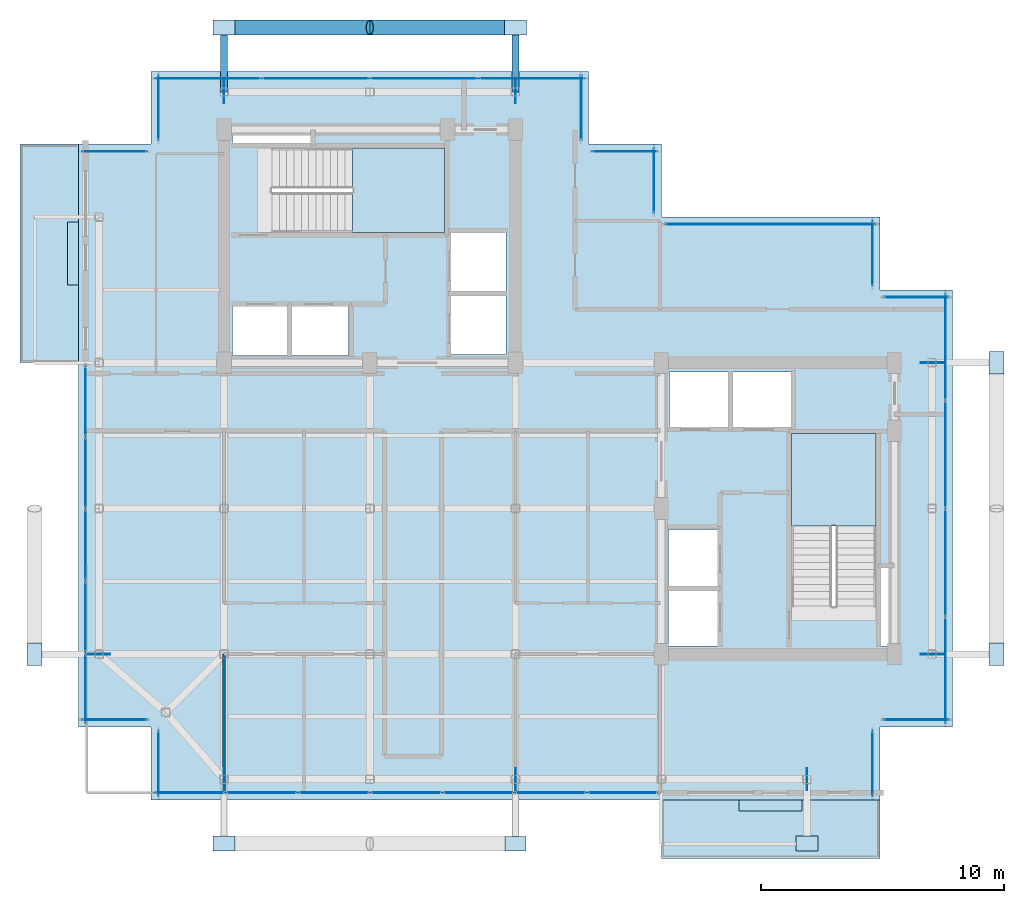
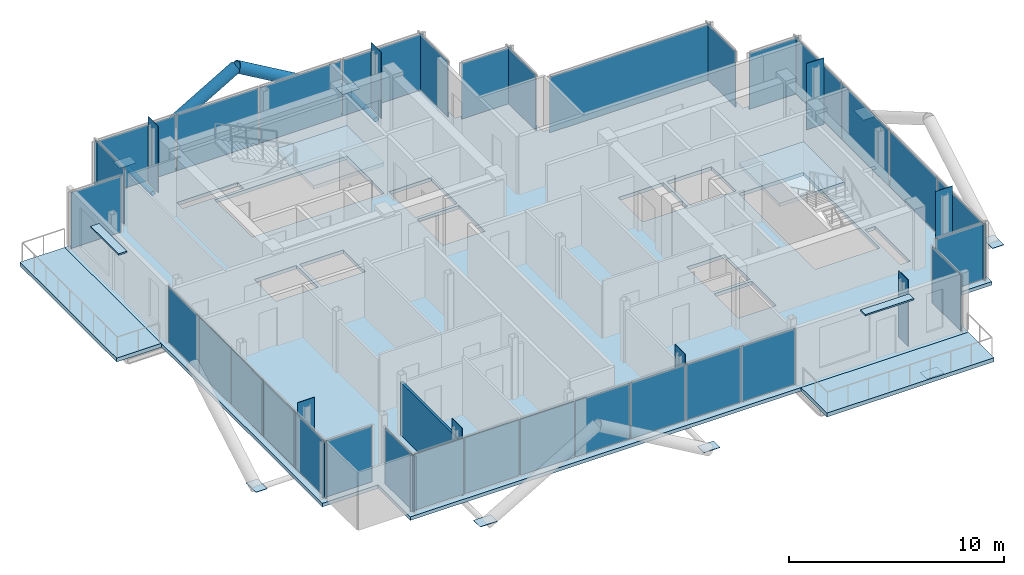
# One storey, part 14 of 19: 50 plates, 5 slabs, 4 members, 1 wall, 18 elements without a shape of their own.
"""IFC4 building model written with IfcOpenShell, lengths in metres."""

from ifc_helpers import new_model, si_unit, direction, frame, frame_2d, origin, origin_2d, place, context, subcontext, project, spatial, polyline, rectangle, hollow_circle, outline, extrude, material, layer, layer_set, material_profile, profile_set, type_object, element, aggregate, save


model = new_model("IFC4")

# Units and contexts
model_context = context("Model", 3, precision=1e-05, world=origin(), true_north=direction((0.0, 1.0)))
body_context = subcontext(model_context, "Body", "Model", "MODEL_VIEW")
ifc_project = project(units=[si_unit("LENGTHUNIT", "METRE"), si_unit("AREAUNIT", "SQUARE_METRE"), si_unit("VOLUMEUNIT", "CUBIC_METRE"), si_unit("PLANEANGLEUNIT", "RADIAN"), si_unit("MASSUNIT", "GRAM", prefix="KILO"), si_unit("THERMODYNAMICTEMPERATUREUNIT", "KELVIN"), si_unit("POWERUNIT", "WATT")], contexts=[model_context])

# Site, building, storey
site_placement = place(None, origin())
site = spatial("IfcSite", under=ifc_project, at=site_placement, CompositionType="ELEMENT")
building_placement = place(site_placement, origin())
building = spatial("IfcBuilding", under=site, at=building_placement, Name="Svarakhadi Broadcast Tower", CompositionType="ELEMENT")
storey_placement = place(building_placement, frame((0.0, 0.0, 257.199951171875)))
storey = spatial("IfcBuildingStorey", under=building, at=storey_placement, Name="L64", CompositionType="ELEMENT", Elevation=257.199951171875)

# Members
ifc_material_1 = material(Name="Steel S460ML (IS 2062 E450BR)", Category="steel")
ifc_material_profile_1 = material_profile(ifc_material_1, hollow_circle(Radius=0.304931640625, WallThickness=0.030029296875, at=origin_2d()), Name="CHS 610x30")
ifc_profile_set_1 = profile_set([ifc_material_profile_1], Name="Steel S460ML (IS 2062 E450BR)")
member_type_1 = type_object("IfcMemberType", Name="Exo_Brace_CHS610", PredefinedType="BRACE", material=ifc_profile_set_1)
for number, where, z_axis, x_axis, name in (
    (1, (6.0, 31.800048828125, -0.33642578125), (0.863778900898, 0.0, 0.503871025524), (0.0, 1.0, 0.0), "L64 Exposed Bronze Exoskeleton Diagonal N06"),
    (2, (18.0, 31.800048828125, -0.33642578125), (-0.863778900898, 0.0, 0.503871025524), (0.0, -1.0, 0.0), "L64 Exposed Bronze Exoskeleton Diagonal N07"),
):
    element("IfcMember", number, at=place(storey_placement, frame(where, z_axis=z_axis, x_axis=x_axis)), inside=storey, type_object=member_type_1, Name=name, PredefinedType="BRACE", context=body_context, shape_type="SweptSolid", body=[
        extrude(hollow_circle(Radius=0.304931640625, WallThickness=0.030029296875, at=origin_2d()), origin(), (0.0, 0.0, 1.0), 6.9462890625),
    ])
ifc_material_profile_2 = material_profile(ifc_material_1, hollow_circle(Radius=0.136474609375, WallThickness=0.012451171875, at=origin_2d()), Name="CHS 273x12.5")
ifc_profile_set_2 = profile_set([ifc_material_profile_2], Name="Steel S460ML (IS 2062 E450BR)")
member_type_2 = type_object("IfcMemberType", Name="Exo_Radial_Strut_Z3", PredefinedType="STRUT", material=ifc_profile_set_2)
for number, where, z_axis, x_axis, name in (
    (3, (6.0, 31.800048828125, -0.33642578125), (0.0, -1.0, 0.0), (1.0, 0.0, 0.0), "L64 Exoskeleton Radial Tie Strut N07"),
    (4, (18.0, 31.800048828125, -0.33642578125), (0.0, -1.0, 0.0), (1.0, 0.0, 0.0), "L64 Exoskeleton Radial Tie Strut N08"),
):
    element("IfcMember", number, at=place(storey_placement, frame(where, z_axis=z_axis, x_axis=x_axis)), inside=storey, type_object=member_type_2, Name=name, PredefinedType="STRUT", context=body_context, shape_type="SweptSolid", body=[
        extrude(hollow_circle(Radius=0.136474609375, WallThickness=0.012451171875, at=origin_2d()), origin(), (0.0, 0.0, 1.0), 2.650146484375),
    ])

# Curtain wall, plate
ifc_material_2 = material(Name="Anodised Bronze Aluminium AA 6063-T6", Category="aluminium")
ifc_layer_1 = layer(ifc_material_2, 0.179931640625)
ifc_layer_set_1 = layer_set([ifc_layer_1], Name="Anodised Bronze Aluminium AA 6063-T6")
curtain_wall_type = type_object("IfcCurtainWallType", Name="CW_Sys_05", PredefinedType="NOTDEFINED", material=ifc_layer_set_1)
curtain_wall_1_placement = place(storey_placement, origin())
curtain_wall_1 = element("IfcCurtainWall", 5, at=curtain_wall_1_placement, inside=storey, type_object=curtain_wall_type, Name="L64 Unitised Facade Curtain Wall 01", PredefinedType="NOTDEFINED")
ifc_material_3 = material(Name="Double Low-E Laminated Acoustic Glass IGU 36 mm", Category="glass")
ifc_layer_2 = layer(ifc_material_3, 0.033935546875)
ifc_layer_set_2 = layer_set([ifc_layer_2], Name="Double Low-E Laminated Acoustic Glass IGU 36 mm")
plate_type_1 = type_object("IfcPlateType", Name="CW_Sys_05_Pnl", PredefinedType="CURTAIN_PANEL", material=ifc_layer_set_2)
plate_1_placement = place(storey_placement, frame((1.5, 3.300048828125, 0.065185546875), z_axis=(0.0, 0.0, 1.0), x_axis=(-1.0, 0.0, 0.0)))
plate_1 = element("IfcPlate", 6, at=plate_1_placement, type_object=plate_type_1, Name="CW-05 panel 1.1", PredefinedType="CURTAIN_PANEL", context=body_context, shape_type="SweptSolid", body=[
    extrude(rectangle(XDim=2.679931640625, YDim=0.033935546875, at=origin_2d()), origin(), (0.0, 0.0, 1.0), 3.169921875),
])
aggregate(curtain_wall_1, [plate_1])

# Curtain wall, plates
curtain_wall_2_placement = place(storey_placement, origin())
curtain_wall_2 = element("IfcCurtainWall", 7, at=curtain_wall_2_placement, inside=storey, type_object=curtain_wall_type, Name="L64 West Curtain Wall 02", PredefinedType="NOTDEFINED")
plate_2_placement = place(storey_placement, frame((0.300048828125, 4.589599609375, 0.065185546875), z_axis=(0.0, 0.0, 1.0), x_axis=(0.0, 1.0, 0.0)))
plate_2 = element("IfcPlate", 8, at=plate_2_placement, type_object=plate_type_1, Name="CW-05 panel 1.1", PredefinedType="CURTAIN_PANEL", context=body_context, shape_type="SweptSolid", body=[
    extrude(rectangle(XDim=2.85888671875, YDim=0.033935546875, at=origin_2d()), origin(), (0.0, 0.0, 1.0), 3.169921875),
])
plate_3_placement = place(storey_placement, frame((0.300048828125, 7.535888671875, 0.065185546875), z_axis=(0.0, 0.0, 1.0), x_axis=(0.0, 1.0, 0.0)))
plate_3 = element("IfcPlate", 9, at=plate_3_placement, type_object=plate_type_1, Name="CW-05 panel 2.1", PredefinedType="CURTAIN_PANEL", context=body_context, shape_type="SweptSolid", body=[
    extrude(rectangle(XDim=2.89404296875, YDim=0.033935546875, at=origin_2d()), origin(), (0.0, 0.0, 1.0), 3.169921875),
])
plate_4_placement = place(storey_placement, frame((0.300048828125, 10.5, 0.065185546875), z_axis=(0.0, 0.0, 1.0), x_axis=(0.0, 1.0, 0.0)))
plate_4 = element("IfcPlate", 10, at=plate_4_placement, type_object=plate_type_1, Name="CW-05 panel 3.1", PredefinedType="CURTAIN_PANEL", context=body_context, shape_type="SweptSolid", body=[
    extrude(rectangle(XDim=2.89404296875, YDim=0.033935546875, at=origin_2d()), origin(), (0.0, 0.0, 1.0), 3.169921875),
])
plate_5_placement = place(storey_placement, frame((0.300048828125, 13.464111328125, 0.065185546875), z_axis=(0.0, 0.0, 1.0), x_axis=(0.0, 1.0, 0.0)))
plate_5 = element("IfcPlate", 11, at=plate_5_placement, type_object=plate_type_1, Name="CW-05 panel 4.1", PredefinedType="CURTAIN_PANEL", context=body_context, shape_type="SweptSolid", body=[
    extrude(rectangle(XDim=2.89404296875, YDim=0.033935546875, at=origin_2d()), origin(), (0.0, 0.0, 1.0), 3.169921875),
])
plate_6_placement = place(storey_placement, frame((0.300048828125, 16.410400390625, 0.065185546875), z_axis=(0.0, 0.0, 1.0), x_axis=(0.0, 1.0, 0.0)))
plate_6 = element("IfcPlate", 12, at=plate_6_placement, type_object=plate_type_1, Name="CW-05 panel 5.1", PredefinedType="CURTAIN_PANEL", context=body_context, shape_type="SweptSolid", body=[
    extrude(rectangle(XDim=2.85888671875, YDim=0.033935546875, at=origin_2d()), origin(), (0.0, 0.0, 1.0), 3.169921875),
])
aggregate(curtain_wall_2, [plate_2, plate_3, plate_4, plate_5, plate_6])

# Curtain wall, plate
curtain_wall_3_placement = place(storey_placement, origin())
curtain_wall_3 = element("IfcCurtainWall", 13, at=curtain_wall_3_placement, inside=storey, type_object=curtain_wall_type, Name="L64 Unitised Facade Curtain Wall 03", PredefinedType="NOTDEFINED")
plate_7_placement = place(storey_placement, frame((1.5, 26.699951171875, 0.065185546875), z_axis=(0.0, 0.0, 1.0), x_axis=(1.0, 0.0, 0.0)))
plate_7 = element("IfcPlate", 14, at=plate_7_placement, type_object=plate_type_1, Name="CW-05 panel 1.1", PredefinedType="CURTAIN_PANEL", context=body_context, shape_type="SweptSolid", body=[
    extrude(rectangle(XDim=2.679931640625, YDim=0.033935546875, at=origin_2d()), origin(), (0.0, 0.0, 1.0), 3.169921875),
])
aggregate(curtain_wall_3, [plate_7])

curtain_wall_4_placement = place(storey_placement, origin())
curtain_wall_4 = element("IfcCurtainWall", 15, at=curtain_wall_4_placement, inside=storey, type_object=curtain_wall_type, Name="L64 Unitised Facade Curtain Wall 04", PredefinedType="NOTDEFINED")
plate_8_placement = place(storey_placement, frame((3.300048828125, 28.5, 0.065185546875), z_axis=(0.0, 0.0, 1.0), x_axis=(0.0, 1.0, 0.0)))
plate_8 = element("IfcPlate", 16, at=plate_8_placement, type_object=plate_type_1, Name="CW-05 panel 1.1", PredefinedType="CURTAIN_PANEL", context=body_context, shape_type="SweptSolid", body=[
    extrude(rectangle(XDim=2.679931640625, YDim=0.033935546875, at=origin_2d()), origin(), (0.0, 0.0, 1.0), 3.169921875),
])
aggregate(curtain_wall_4, [plate_8])

# Curtain wall, plates
curtain_wall_5_placement = place(storey_placement, origin())
curtain_wall_5 = element("IfcCurtainWall", 17, at=curtain_wall_5_placement, inside=storey, type_object=curtain_wall_type, Name="L64 Unitised Facade Curtain Wall 05", PredefinedType="NOTDEFINED")
plate_9_placement = place(storey_placement, frame((5.3349609375, 29.699951171875, 0.065185546875), z_axis=(0.0, 0.0, 1.0), x_axis=(1.0, 0.0, 0.0)))
plate_9 = element("IfcPlate", 18, at=plate_9_placement, type_object=plate_type_1, Name="CW-05 panel 1.1", PredefinedType="CURTAIN_PANEL", context=body_context, shape_type="SweptSolid", body=[
    extrude(rectangle(XDim=4.35009765625, YDim=0.033935546875, at=origin_2d()), origin(), (0.0, 0.0, 1.0), 3.169921875),
])
plate_10_placement = place(storey_placement, frame((9.7724609375, 29.699951171875, 0.065185546875), z_axis=(0.0, 0.0, 1.0), x_axis=(1.0, 0.0, 0.0)))
plate_10 = element("IfcPlate", 19, at=plate_10_placement, type_object=plate_type_1, Name="CW-05 panel 2.1", PredefinedType="CURTAIN_PANEL", context=body_context, shape_type="SweptSolid", body=[
    extrude(rectangle(XDim=4.385009765625, YDim=0.033935546875, at=origin_2d()), origin(), (0.0, 0.0, 1.0), 3.169921875),
])
plate_11_placement = place(storey_placement, frame((14.2275390625, 29.699951171875, 0.065185546875), z_axis=(0.0, 0.0, 1.0), x_axis=(1.0, 0.0, 0.0)))
plate_11 = element("IfcPlate", 20, at=plate_11_placement, type_object=plate_type_1, Name="CW-05 panel 3.1", PredefinedType="CURTAIN_PANEL", context=body_context, shape_type="SweptSolid", body=[
    extrude(rectangle(XDim=4.385009765625, YDim=0.033935546875, at=origin_2d()), origin(), (0.0, 0.0, 1.0), 3.169921875),
])
plate_12_placement = place(storey_placement, frame((18.6650390625, 29.699951171875, 0.065185546875), z_axis=(0.0, 0.0, 1.0), x_axis=(1.0, 0.0, 0.0)))
plate_12 = element("IfcPlate", 21, at=plate_12_placement, type_object=plate_type_1, Name="CW-05 panel 4.1", PredefinedType="CURTAIN_PANEL", context=body_context, shape_type="SweptSolid", body=[
    extrude(rectangle(XDim=4.35009765625, YDim=0.033935546875, at=origin_2d()), origin(), (0.0, 0.0, 1.0), 3.169921875),
])
aggregate(curtain_wall_5, [plate_9, plate_10, plate_11, plate_12])

# Curtain wall, plate
curtain_wall_6_placement = place(storey_placement, origin())
curtain_wall_6 = element("IfcCurtainWall", 22, at=curtain_wall_6_placement, inside=storey, type_object=curtain_wall_type, Name="L64 Unitised Facade Curtain Wall 06", PredefinedType="NOTDEFINED")
plate_13_placement = place(storey_placement, frame((20.699951171875, 28.5, 0.065185546875), z_axis=(0.0, 0.0, 1.0), x_axis=(0.0, -1.0, 0.0)))
plate_13 = element("IfcPlate", 23, at=plate_13_placement, type_object=plate_type_1, Name="CW-05 panel 1.1", PredefinedType="CURTAIN_PANEL", context=body_context, shape_type="SweptSolid", body=[
    extrude(rectangle(XDim=2.679931640625, YDim=0.033935546875, at=origin_2d()), origin(), (0.0, 0.0, 1.0), 3.169921875),
])
aggregate(curtain_wall_6, [plate_13])

curtain_wall_7_placement = place(storey_placement, origin())
curtain_wall_7 = element("IfcCurtainWall", 24, at=curtain_wall_7_placement, inside=storey, type_object=curtain_wall_type, Name="L64 Unitised Facade Curtain Wall 07", PredefinedType="NOTDEFINED")
plate_14_placement = place(storey_placement, frame((22.5, 26.699951171875, 0.065185546875), z_axis=(0.0, 0.0, 1.0), x_axis=(1.0, 0.0, 0.0)))
plate_14 = element("IfcPlate", 25, at=plate_14_placement, type_object=plate_type_1, Name="CW-05 panel 1.1", PredefinedType="CURTAIN_PANEL", context=body_context, shape_type="SweptSolid", body=[
    extrude(rectangle(XDim=2.679931640625, YDim=0.033935546875, at=origin_2d()), origin(), (0.0, 0.0, 1.0), 3.169921875),
])
aggregate(curtain_wall_7, [plate_14])

curtain_wall_8_placement = place(storey_placement, origin())
curtain_wall_8 = element("IfcCurtainWall", 26, at=curtain_wall_8_placement, inside=storey, type_object=curtain_wall_type, Name="L64 Unitised Facade Curtain Wall 08", PredefinedType="NOTDEFINED")
plate_15_placement = place(storey_placement, frame((23.699951171875, 25.5, 0.065185546875), z_axis=(0.0, 0.0, 1.0), x_axis=(0.0, -1.0, 0.0)))
plate_15 = element("IfcPlate", 27, at=plate_15_placement, type_object=plate_type_1, Name="CW-05 panel 1.1", PredefinedType="CURTAIN_PANEL", context=body_context, shape_type="SweptSolid", body=[
    extrude(rectangle(XDim=2.679931640625, YDim=0.033935546875, at=origin_2d()), origin(), (0.0, 0.0, 1.0), 3.169921875),
])
aggregate(curtain_wall_8, [plate_15])

curtain_wall_9_placement = place(storey_placement, origin())
curtain_wall_9 = element("IfcCurtainWall", 28, at=curtain_wall_9_placement, inside=storey, type_object=curtain_wall_type, Name="L64 Unitised Facade Curtain Wall 09", PredefinedType="NOTDEFINED")
plate_16_placement = place(storey_placement, frame((28.5, 23.699951171875, 0.065185546875), z_axis=(0.0, 0.0, 1.0), x_axis=(1.0, 0.0, 0.0)))
plate_16 = element("IfcPlate", 29, at=plate_16_placement, type_object=plate_type_1, Name="CW-05 panel 1.1", PredefinedType="CURTAIN_PANEL", context=body_context, shape_type="SweptSolid", body=[
    extrude(rectangle(XDim=8.679931640625, YDim=0.033935546875, at=origin_2d()), origin(), (0.0, 0.0, 1.0), 3.169921875),
])
aggregate(curtain_wall_9, [plate_16])

curtain_wall_10_placement = place(storey_placement, origin())
curtain_wall_10 = element("IfcCurtainWall", 30, at=curtain_wall_10_placement, inside=storey, type_object=curtain_wall_type, Name="L64 Unitised Facade Curtain Wall 10", PredefinedType="NOTDEFINED")
plate_17_placement = place(storey_placement, frame((32.699951171875, 22.5, 0.065185546875), z_axis=(0.0, 0.0, 1.0), x_axis=(0.0, -1.0, 0.0)))
plate_17 = element("IfcPlate", 31, at=plate_17_placement, type_object=plate_type_1, Name="CW-05 panel 1.1", PredefinedType="CURTAIN_PANEL", context=body_context, shape_type="SweptSolid", body=[
    extrude(rectangle(XDim=2.679931640625, YDim=0.033935546875, at=origin_2d()), origin(), (0.0, 0.0, 1.0), 3.169921875),
])
aggregate(curtain_wall_10, [plate_17])

curtain_wall_11_placement = place(storey_placement, origin())
curtain_wall_11 = element("IfcCurtainWall", 32, at=curtain_wall_11_placement, inside=storey, type_object=curtain_wall_type, Name="L64 Unitised Facade Curtain Wall 11", PredefinedType="NOTDEFINED")
plate_18_placement = place(storey_placement, frame((34.5, 20.699951171875, 0.065185546875), z_axis=(0.0, 0.0, 1.0), x_axis=(1.0, 0.0, 0.0)))
plate_18 = element("IfcPlate", 33, at=plate_18_placement, type_object=plate_type_1, Name="CW-05 panel 1.1", PredefinedType="CURTAIN_PANEL", context=body_context, shape_type="SweptSolid", body=[
    extrude(rectangle(XDim=2.679931640625, YDim=0.033935546875, at=origin_2d()), origin(), (0.0, 0.0, 1.0), 3.169921875),
])
aggregate(curtain_wall_11, [plate_18])

# Curtain wall, plates
curtain_wall_12_placement = place(storey_placement, origin())
curtain_wall_12 = element("IfcCurtainWall", 34, at=curtain_wall_12_placement, inside=storey, type_object=curtain_wall_type, Name="L64 Unitised Facade Curtain Wall 12", PredefinedType="NOTDEFINED")
plate_19_placement = place(storey_placement, frame((35.699951171875, 18.6650390625, 0.065185546875), z_axis=(0.0, 0.0, 1.0), x_axis=(0.0, -1.0, 0.0)))
plate_19 = element("IfcPlate", 35, at=plate_19_placement, type_object=plate_type_1, Name="CW-05 panel 1.1", PredefinedType="CURTAIN_PANEL", context=body_context, shape_type="SweptSolid", body=[
    extrude(rectangle(XDim=4.35009765625, YDim=0.033935546875, at=origin_2d()), origin(), (0.0, 0.0, 1.0), 3.169921875),
])
plate_20_placement = place(storey_placement, frame((35.699951171875, 14.2275390625, 0.065185546875), z_axis=(0.0, 0.0, 1.0), x_axis=(0.0, -1.0, 0.0)))
plate_20 = element("IfcPlate", 36, at=plate_20_placement, type_object=plate_type_1, Name="CW-05 panel 2.1", PredefinedType="CURTAIN_PANEL", context=body_context, shape_type="SweptSolid", body=[
    extrude(rectangle(XDim=4.385009765625, YDim=0.033935546875, at=origin_2d()), origin(), (0.0, 0.0, 1.0), 3.169921875),
])
plate_21_placement = place(storey_placement, frame((35.699951171875, 9.7724609375, 0.065185546875), z_axis=(0.0, 0.0, 1.0), x_axis=(0.0, -1.0, 0.0)))
plate_21 = element("IfcPlate", 37, at=plate_21_placement, type_object=plate_type_1, Name="CW-05 panel 3.1", PredefinedType="CURTAIN_PANEL", context=body_context, shape_type="SweptSolid", body=[
    extrude(rectangle(XDim=4.385009765625, YDim=0.033935546875, at=origin_2d()), origin(), (0.0, 0.0, 1.0), 3.169921875),
])
plate_22_placement = place(storey_placement, frame((35.699951171875, 5.3349609375, 0.065185546875), z_axis=(0.0, 0.0, 1.0), x_axis=(0.0, -1.0, 0.0)))
plate_22 = element("IfcPlate", 38, at=plate_22_placement, type_object=plate_type_1, Name="CW-05 panel 4.1", PredefinedType="CURTAIN_PANEL", context=body_context, shape_type="SweptSolid", body=[
    extrude(rectangle(XDim=4.35009765625, YDim=0.033935546875, at=origin_2d()), origin(), (0.0, 0.0, 1.0), 3.169921875),
])
aggregate(curtain_wall_12, [plate_19, plate_20, plate_21, plate_22])

# Curtain wall, plate
curtain_wall_13_placement = place(storey_placement, origin())
curtain_wall_13 = element("IfcCurtainWall", 39, at=curtain_wall_13_placement, inside=storey, type_object=curtain_wall_type, Name="L64 Unitised Facade Curtain Wall 13", PredefinedType="NOTDEFINED")
plate_23_placement = place(storey_placement, frame((34.5, 3.300048828125, 0.065185546875), z_axis=(0.0, 0.0, 1.0), x_axis=(-1.0, 0.0, 0.0)))
plate_23 = element("IfcPlate", 40, at=plate_23_placement, type_object=plate_type_1, Name="CW-05 panel 1.1", PredefinedType="CURTAIN_PANEL", context=body_context, shape_type="SweptSolid", body=[
    extrude(rectangle(XDim=2.679931640625, YDim=0.033935546875, at=origin_2d()), origin(), (0.0, 0.0, 1.0), 3.169921875),
])
aggregate(curtain_wall_13, [plate_23])

curtain_wall_14_placement = place(storey_placement, origin())
curtain_wall_14 = element("IfcCurtainWall", 41, at=curtain_wall_14_placement, inside=storey, type_object=curtain_wall_type, Name="L64 Unitised Facade Curtain Wall 14", PredefinedType="NOTDEFINED")
plate_24_placement = place(storey_placement, frame((32.699951171875, 1.5, 0.065185546875), z_axis=(0.0, 0.0, 1.0), x_axis=(0.0, -1.0, 0.0)))
plate_24 = element("IfcPlate", 42, at=plate_24_placement, type_object=plate_type_1, Name="CW-05 panel 1.1", PredefinedType="CURTAIN_PANEL", context=body_context, shape_type="SweptSolid", body=[
    extrude(rectangle(XDim=2.679931640625, YDim=0.033935546875, at=origin_2d()), origin(), (0.0, 0.0, 1.0), 3.169921875),
])
aggregate(curtain_wall_14, [plate_24])

# Curtain wall, plates
curtain_wall_15_placement = place(storey_placement, origin())
curtain_wall_15 = element("IfcCurtainWall", 43, at=curtain_wall_15_placement, inside=storey, type_object=curtain_wall_type, Name="L64 South Curtain Wall 15", PredefinedType="NOTDEFINED")
plate_25_placement = place(storey_placement, frame((22.4052734375, 0.300048828125, 0.065185546875), z_axis=(0.0, 0.0, 1.0), x_axis=(-1.0, 0.0, 0.0)))
plate_25 = element("IfcPlate", 44, at=plate_25_placement, type_object=plate_type_1, Name="CW-05 panel 1.1", PredefinedType="CURTAIN_PANEL", context=body_context, shape_type="SweptSolid", body=[
    extrude(rectangle(XDim=2.869384765625, YDim=0.033935546875, at=origin_2d()), origin(), (0.0, 0.0, 1.0), 3.169921875),
])
plate_26_placement = place(storey_placement, frame((19.448486328125, 0.300048828125, 0.065185546875), z_axis=(0.0, 0.0, 1.0), x_axis=(-1.0, 0.0, 0.0)))
plate_26 = element("IfcPlate", 45, at=plate_26_placement, type_object=plate_type_1, Name="CW-05 panel 2.1", PredefinedType="CURTAIN_PANEL", context=body_context, shape_type="SweptSolid", body=[
    extrude(rectangle(XDim=2.904296875, YDim=0.033935546875, at=origin_2d()), origin(), (0.0, 0.0, 1.0), 3.169921875),
])
plate_27_placement = place(storey_placement, frame((16.474365234375, 0.300048828125, 0.065185546875), z_axis=(0.0, 0.0, 1.0), x_axis=(-1.0, 0.0, 0.0)))
plate_27 = element("IfcPlate", 46, at=plate_27_placement, type_object=plate_type_1, Name="CW-05 panel 3.1", PredefinedType="CURTAIN_PANEL", context=body_context, shape_type="SweptSolid", body=[
    extrude(rectangle(XDim=2.904296875, YDim=0.033935546875, at=origin_2d()), origin(), (0.0, 0.0, 1.0), 3.169921875),
])
plate_28_placement = place(storey_placement, frame((13.5, 0.300048828125, 0.065185546875), z_axis=(0.0, 0.0, 1.0), x_axis=(-1.0, 0.0, 0.0)))
plate_28 = element("IfcPlate", 47, at=plate_28_placement, type_object=plate_type_1, Name="CW-05 panel 4.1", PredefinedType="CURTAIN_PANEL", context=body_context, shape_type="SweptSolid", body=[
    extrude(rectangle(XDim=2.904296875, YDim=0.033935546875, at=origin_2d()), origin(), (0.0, 0.0, 1.0), 3.169921875),
])
plate_29_placement = place(storey_placement, frame((10.525634765625, 0.300048828125, 0.065185546875), z_axis=(0.0, 0.0, 1.0), x_axis=(-1.0, 0.0, 0.0)))
plate_29 = element("IfcPlate", 48, at=plate_29_placement, type_object=plate_type_1, Name="CW-05 panel 5.1", PredefinedType="CURTAIN_PANEL", context=body_context, shape_type="SweptSolid", body=[
    extrude(rectangle(XDim=2.904296875, YDim=0.033935546875, at=origin_2d()), origin(), (0.0, 0.0, 1.0), 3.169921875),
])
plate_30_placement = place(storey_placement, frame((7.551513671875, 0.300048828125, 0.065185546875), z_axis=(0.0, 0.0, 1.0), x_axis=(-1.0, 0.0, 0.0)))
plate_30 = element("IfcPlate", 49, at=plate_30_placement, type_object=plate_type_1, Name="CW-05 panel 6.1", PredefinedType="CURTAIN_PANEL", context=body_context, shape_type="SweptSolid", body=[
    extrude(rectangle(XDim=2.904296875, YDim=0.033935546875, at=origin_2d()), origin(), (0.0, 0.0, 1.0), 3.169921875),
])
plate_31_placement = place(storey_placement, frame((4.5947265625, 0.300048828125, 0.065185546875), z_axis=(0.0, 0.0, 1.0), x_axis=(-1.0, 0.0, 0.0)))
plate_31 = element("IfcPlate", 50, at=plate_31_placement, type_object=plate_type_1, Name="CW-05 panel 7.1", PredefinedType="CURTAIN_PANEL", context=body_context, shape_type="SweptSolid", body=[
    extrude(rectangle(XDim=2.869384765625, YDim=0.033935546875, at=origin_2d()), origin(), (0.0, 0.0, 1.0), 3.169921875),
])
aggregate(curtain_wall_15, [plate_25, plate_26, plate_27, plate_28, plate_29, plate_30, plate_31])

# Curtain wall, plate
curtain_wall_16_placement = place(storey_placement, origin())
curtain_wall_16 = element("IfcCurtainWall", 51, at=curtain_wall_16_placement, inside=storey, type_object=curtain_wall_type, Name="L64 Unitised Facade Curtain Wall 16", PredefinedType="NOTDEFINED")
plate_32_placement = place(storey_placement, frame((3.300048828125, 1.5, 0.065185546875), z_axis=(0.0, 0.0, 1.0), x_axis=(0.0, 1.0, 0.0)))
plate_32 = element("IfcPlate", 52, at=plate_32_placement, type_object=plate_type_1, Name="CW-05 panel 1.1", PredefinedType="CURTAIN_PANEL", context=body_context, shape_type="SweptSolid", body=[
    extrude(rectangle(XDim=2.679931640625, YDim=0.033935546875, at=origin_2d()), origin(), (0.0, 0.0, 1.0), 3.169921875),
])
aggregate(curtain_wall_16, [plate_32])

# Plates
ifc_layer_3 = layer(ifc_material_1, 0.02490234375)
ifc_layer_set_3 = layer_set([ifc_layer_3], Name="Steel S460ML (IS 2062 E450BR)")
plate_type_2 = type_object("IfcPlateType", Name="Node_Gusset_N05", PredefinedType="SHEET", material=ifc_layer_set_3)
plate_33_placement = place(storey_placement, frame((18.0, -1.800048828125, -0.199951171875), z_axis=(0.0, 0.0, 1.0), x_axis=(1.0, 0.0, 0.0)))
element("IfcPlate", 53, at=plate_33_placement, inside=storey, type_object=plate_type_2, Name="L64 Exoskeleton Gusset Node Plate S02", PredefinedType="SHEET", context=body_context, shape_type="SweptSolid", body=[
    extrude(rectangle(XDim=0.8798828125, YDim=0.60009765625, at=origin_2d()), origin(), (0.0, 0.0, 1.0), 0.02490234375),
])
ifc_layer_4 = layer(ifc_material_1, 0.02587890625)
ifc_layer_set_4 = layer_set([ifc_layer_4], Name="Steel S460ML (IS 2062 E450BR)")
plate_type_3 = type_object("IfcPlateType", Name="Node_Gusset_N07", PredefinedType="SHEET", material=ifc_layer_set_4)
for number, where, z_axis, x_axis, name in (
    (54, (6.0, -1.800048828125, -0.199951171875), (0.0, 0.0, 1.0), (1.0, 0.0, 0.0), "L64 Exoskeleton Gusset Node Plate S01"),
    (55, (30.0, -1.800048828125, -0.199951171875), (0.0, 0.0, 1.0), (1.0, 0.0, 0.0), "L64 Exoskeleton Gusset Node Plate S03"),
    (56, (-1.800048828125, 6.0, -0.199951171875), (0.0, 0.0, 1.0), (0.0, 1.0, 0.0), "L64 Exoskeleton Gusset Node Plate W04"),
    (57, (37.800048828125, 6.0, -0.199951171875), (0.0, 0.0, 1.0), (0.0, 1.0, 0.0), "L64 Exoskeleton Gusset Node Plate E05"),
    (58, (37.800048828125, 18.0, -0.199951171875), (0.0, 0.0, 1.0), (0.0, 1.0, 0.0), "L64 Exoskeleton Gusset Node Plate E06"),
    (59, (6.0, 31.800048828125, -0.199951171875), (0.0, 0.0, 1.0), (1.0, 0.0, 0.0), "L64 Exoskeleton Gusset Node Plate N07"),
    (60, (18.0, 31.800048828125, -0.199951171875), (0.0, 0.0, 1.0), (1.0, 0.0, 0.0), "L64 Exoskeleton Gusset Node Plate N08"),
):
    element("IfcPlate", number, at=place(storey_placement, frame(where, z_axis=z_axis, x_axis=x_axis)), inside=storey, type_object=plate_type_3, Name=name, PredefinedType="SHEET", context=body_context, shape_type="SweptSolid", body=[
        extrude(rectangle(XDim=0.919921875, YDim=0.6201171875, at=origin_2d()), origin(), (0.0, 0.0, 1.0), 0.02587890625),
    ])
for number, where, z_axis, x_axis, name in (
    (61, (6.0, 0.85009765625, -0.53662109375), (0.0, 0.0, 1.0), (0.0, 1.0, 0.0), "L64 Brace End Connection Gusset Plate N-07-E0512"),
    (62, (18.0, 0.85009765625, -0.53662109375), (0.0, 0.0, 1.0), (0.0, 1.0, 0.0), "L64 Brace End Connection Gusset Plate N-07-E0513"),
    (63, (30.0, 0.85009765625, -0.53662109375), (0.0, 0.0, 1.0), (0.0, 1.0, 0.0), "L64 Brace End Connection Gusset Plate N-07-E0514"),
    (64, (0.85009765625, 6.0, -0.53662109375), (0.0, 0.0, 1.0), (1.0, 0.0, 0.0), "L64 Brace End Connection Gusset Plate N-07-E0515"),
    (65, (35.14990234375, 6.0, -0.53662109375), (0.0, 0.0, 1.0), (1.0, 0.0, 0.0), "L64 Brace End Connection Gusset Plate N-07-E0516"),
    (66, (35.14990234375, 18.0, -0.53662109375), (0.0, 0.0, 1.0), (1.0, 0.0, 0.0), "L64 Brace End Connection Gusset Plate N-07-E0517"),
    (67, (6.0, 29.14990234375, -0.53662109375), (0.0, 0.0, 1.0), (0.0, 1.0, 0.0), "L64 Brace End Connection Gusset Plate N-07-E0518"),
    (68, (18.0, 29.14990234375, -0.53662109375), (0.0, 0.0, 1.0), (0.0, 1.0, 0.0), "L64 Brace End Connection Gusset Plate N-07-E0519"),
):
    element("IfcPlate", number, at=place(storey_placement, frame(where, z_axis=z_axis, x_axis=x_axis)), inside=storey, type_object=plate_type_3, Name=name, PredefinedType="SHEET", context=body_context, shape_type="SweptSolid", body=[
        extrude(rectangle(XDim=0.919921875, YDim=0.02587890625, at=origin_2d()), origin(), (0.0, 0.0, 1.0), 4.300048828125),
    ])

# Slab
ifc_material_4 = material(Name="Concrete C40/50 (IS 456 M50)", Category="concrete")
ifc_layer_5 = layer(ifc_material_4, 0.199951171875)
ifc_layer_set_5 = layer_set([ifc_layer_5], Name="Concrete C40/50 (IS 456 M50)")
slab_type_1 = type_object("IfcSlabType", Name="Slab_Floor_200", PredefinedType="FLOOR", material=ifc_layer_set_5)
slab_1_placement = place(storey_placement, frame((0.0, 0.0, -0.199951171875)))
element("IfcSlab", 69, at=slab_1_placement, inside=storey, type_object=slab_type_1, Name="L64 Structural Floor Slab", PredefinedType="FLOOR", context=body_context, shape_type="SweptSolid", body=[
    extrude(outline(polyline([(3.0, 0.0), (33.0, 0.0), (33.0, 3.0), (36.0, 3.0), (36.0, 21.0), (33.0, 21.0), (33.0, 24.0), (24.0, 24.0), (24.0, 27.0), (21.0, 27.0), (21.0, 30.0), (3.0, 30.0), (3.0, 27.0), (0.0, 27.0), (0.0, 3.0), (3.0, 3.0), (3.0, 0.0)]), holes=[polyline([(7.97998046875, 23.360107421875), (15.080078125, 23.360107421875), (15.080078125, 26.840087890625), (7.97998046875, 26.840087890625), (7.97998046875, 23.360107421875)]), polyline([(32.840087890625, 7.97998046875), (32.840087890625, 15.080078125), (29.360107421875, 15.080078125), (29.360107421875, 7.97998046875), (32.840087890625, 7.97998046875)]), polyline([(6.340087890625, 18.2900390625), (8.610107421875, 18.2900390625), (8.610107421875, 20.330078125), (6.340087890625, 20.330078125), (6.340087890625, 18.2900390625)]), polyline([(8.7900390625, 18.2900390625), (11.1298828125, 18.2900390625), (11.1298828125, 20.330078125), (8.7900390625, 20.330078125), (8.7900390625, 18.2900390625)]), polyline([(24.2900390625, 6.340087890625), (26.330078125, 6.340087890625), (26.330078125, 8.610107421875), (24.2900390625, 8.610107421875), (24.2900390625, 6.340087890625)]), polyline([(24.2900390625, 8.7900390625), (26.330078125, 8.7900390625), (26.330078125, 11.1298828125), (24.2900390625, 11.1298828125), (24.2900390625, 8.7900390625)]), polyline([(6.340087890625, 26.989990234375), (9.610107421875, 26.989990234375), (9.610107421875, 27.530029296875), (6.340087890625, 27.530029296875), (6.340087890625, 26.989990234375)]), polyline([(32.989990234375, 6.340087890625), (33.530029296875, 6.340087890625), (33.530029296875, 9.610107421875), (32.989990234375, 9.610107421875), (32.989990234375, 6.340087890625)]), polyline([(15.340087890625, 18.340087890625), (17.610107421875, 18.340087890625), (17.610107421875, 20.760009765625), (15.340087890625, 20.760009765625), (15.340087890625, 18.340087890625)]), polyline([(15.340087890625, 20.93994140625), (17.610107421875, 20.93994140625), (17.610107421875, 23.360107421875), (15.340087890625, 23.360107421875), (15.340087890625, 20.93994140625)]), polyline([(24.340087890625, 15.340087890625), (26.760009765625, 15.340087890625), (26.760009765625, 17.610107421875), (24.340087890625, 17.610107421875), (24.340087890625, 15.340087890625)]), polyline([(26.93994140625, 15.340087890625), (29.360107421875, 15.340087890625), (29.360107421875, 17.610107421875), (26.93994140625, 17.610107421875), (26.93994140625, 15.340087890625)])]), origin(), (0.0, 0.0, 1.0), 0.199951171875),
])

# Stair, slab
stair_type = type_object("IfcStairType", Name="Stair_Exit_Core", PredefinedType="HALF_TURN_STAIR", material=ifc_material_4)
stair_1_placement = place(storey_placement, origin())
stair_1 = element("IfcStair", 70, at=stair_1_placement, inside=storey, type_object=stair_type, Name="L64 West Core Protected Exit Stair ST-01", PredefinedType="HALF_TURN_STAIR")
ifc_layer_6 = layer(ifc_material_4, 0.199951171875)
ifc_layer_set_6 = layer_set([ifc_layer_6], Name="Concrete C40/50 (IS 456 M50)")
slab_type_2 = type_object("IfcSlabType", Name="Slab_Stair_Land", PredefinedType="LANDING", material=ifc_layer_set_6)
slab_2_placement = place(storey_placement, frame((0.0, 0.0, 1.550048828125)))
slab_2 = element("IfcSlab", 71, at=slab_2_placement, type_object=slab_type_2, Name="ST-01 landing 1", PredefinedType="LANDING", context=body_context, shape_type="SweptSolid", body=[
    extrude(outline(polyline([(11.280029296875, 23.360107421875), (15.080078125, 23.360107421875), (15.080078125, 26.840087890625), (11.280029296875, 26.840087890625), (11.280029296875, 23.360107421875)])), origin(), (0.0, 0.0, 1.0), 0.199951171875),
])
aggregate(stair_1, [slab_2])

stair_2_placement = place(storey_placement, origin())
stair_2 = element("IfcStair", 72, at=stair_2_placement, inside=storey, type_object=stair_type, Name="L64 East Core Protected Exit Stair ST-02", PredefinedType="HALF_TURN_STAIR")
slab_3_placement = place(storey_placement, frame((0.0, 0.0, 1.550048828125)))
slab_3 = element("IfcSlab", 73, at=slab_3_placement, type_object=slab_type_2, Name="ST-02 landing 1", PredefinedType="LANDING", context=body_context, shape_type="SweptSolid", body=[
    extrude(outline(polyline([(32.840087890625, 11.280029296875), (32.840087890625, 15.080078125), (29.360107421875, 15.080078125), (29.360107421875, 11.280029296875), (32.840087890625, 11.280029296875)])), origin(), (0.0, 0.0, 1.0), 0.199951171875),
])
aggregate(stair_2, [slab_3])

# Slabs
ifc_layer_7 = layer(ifc_material_4, 0.22509765625)
ifc_layer_set_7 = layer_set([ifc_layer_7], Name="Concrete C40/50 (IS 456 M50)")
slab_type_3 = type_object("IfcSlabType", Name="Slab_TreeBalcony", PredefinedType="FLOOR", material=ifc_layer_set_7)
slab_4_placement = place(storey_placement, frame((0.0, 0.0, -0.224853515625)))
element("IfcSlab", 74, at=slab_4_placement, inside=storey, type_object=slab_type_3, Name="L64 Planted Tree Balcony Slab BAL-E", PredefinedType="FLOOR", context=body_context, shape_type="SweptSolid", body=[
    extrude(outline(polyline([(24.0, -2.39990234375), (33.0, -2.39990234375), (33.0, 0.0), (24.0, 0.0), (24.0, -2.39990234375)])), origin(), (0.0, 0.0, 1.0), 0.224853515625),
])
slab_5_placement = place(storey_placement, frame((0.0, 0.0, -0.224853515625)))
element("IfcSlab", 75, at=slab_5_placement, inside=storey, type_object=slab_type_3, Name="L64 Planted Tree Balcony Slab BAL-N", PredefinedType="FLOOR", context=body_context, shape_type="SweptSolid", body=[
    extrude(outline(polyline([(-2.39990234375, 18.0), (0.0, 18.0), (0.0, 27.0), (-2.39990234375, 27.0), (-2.39990234375, 18.0)])), origin(), (0.0, 0.0, 1.0), 0.224853515625),
])

# Plates
ifc_layer_8 = layer(ifc_material_2, 0.080078125)
ifc_layer_set_8 = layer_set([ifc_layer_8], Name="Anodised Bronze Aluminium AA 6063-T6")
plate_type_4 = type_object("IfcPlateType", Name="Sunshade_Fin_SS01", PredefinedType="USERDEFINED", material=ifc_layer_set_8)
for number, where, z_axis, x_axis, name in (
    (76, (28.5, -0.22509765625, 3.219970703125), (0.0, 0.0, 1.0), (1.0, 0.0, 0.0), "L64 South Bronze Brise-Soleil Sunshade SS-01"),
    (77, (-0.22509765625, 22.5, 3.219970703125), (0.0, 0.0, 1.0), (0.0, 1.0, 0.0), "L64 West Bronze Brise-Soleil Sunshade SS-01"),
):
    element("IfcPlate", number, at=place(storey_placement, frame(where, z_axis=z_axis, x_axis=x_axis)), inside=storey, type_object=plate_type_4, Name=name, ObjectType="SUNSHADE", PredefinedType="USERDEFINED", context=body_context, shape_type="SweptSolid", body=[
        extrude(rectangle(XDim=2.60009765625, YDim=0.449951171875, at=origin_2d()), origin(), (0.0, 0.0, 1.0), 0.080078125),
    ])

# Wall
ifc_material_5 = material(Name="Fire-Rated Moisture-Resistant Gypsum Board Partition", Category="gypsum")
ifc_layer_9 = layer(ifc_material_5, 0.125)
ifc_layer_set_9 = layer_set([ifc_layer_9], Name="Fire-Rated Moisture-Resistant Gypsum Board Partition")
wall_type = type_object("IfcWallType", Name="Wall_Part_125", PredefinedType="PARTITIONING", material=ifc_layer_set_9)
wall_placement = place(storey_placement, frame((6.0, 0.300048828125, 0.0), z_axis=(0.0, 0.0, 1.0), x_axis=(0.0, 1.0, 0.0)))
element("IfcWall", 78, at=wall_placement, inside=storey, type_object=wall_type, Name="L64 Apartment A Bedroom 1 Wall", PredefinedType="PARTITIONING", context=body_context, shape_type="SweptSolid", body=[
    extrude(rectangle(XDim=5.699951171875, YDim=0.125, at=frame_2d((2.85009765625, 0.0))), origin(), (0.0, 0.0, 1.0), 2.991943359375),
])

save(model, "model.ifc")
